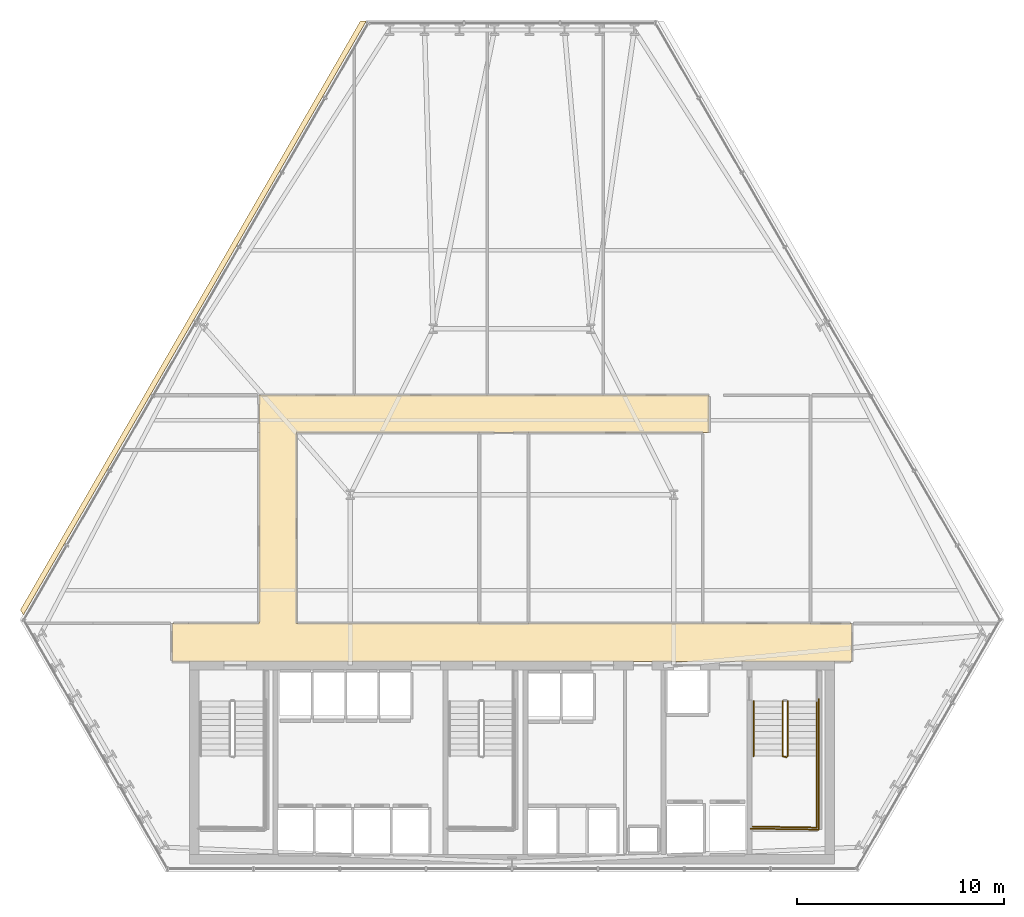
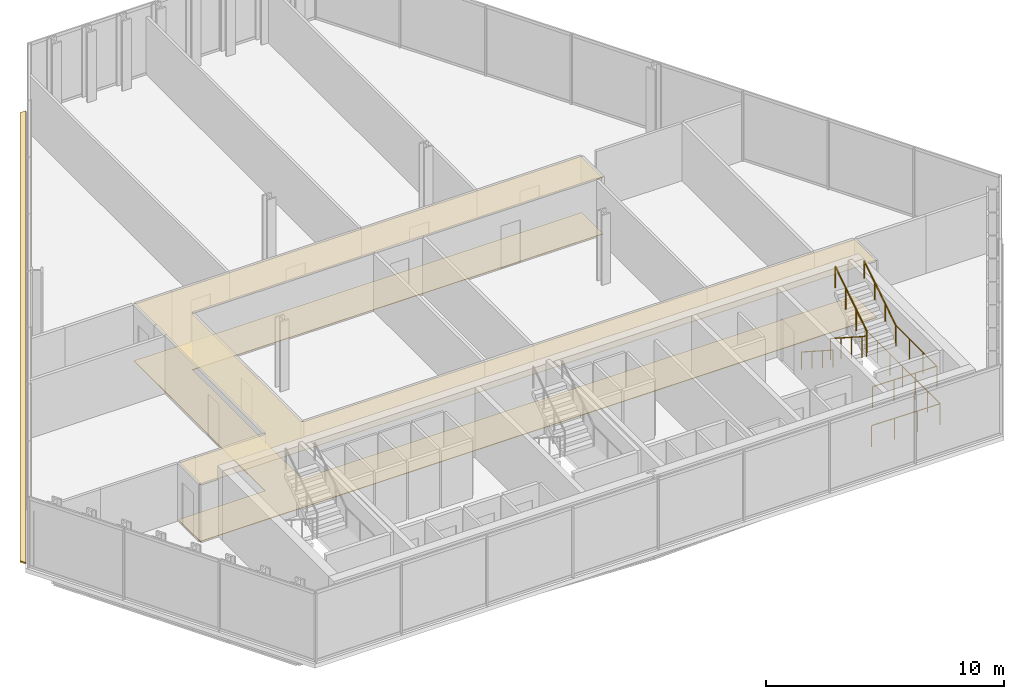
# One storey, part 31 of 32: 6 railings, 3 coverings.
"""IFC4 building model written with IfcOpenShell, lengths in metres."""

from ifc_helpers import new_model, si_unit, direction, frame, origin, origin_2d, place, context, subcontext, project, spatial, polyline, circle, outline, extrude, material, layer, layer_set, type_object, element, save


model = new_model("IFC4")

# Units and contexts
model_context = context("Model", 3, precision=1e-05, world=origin(), true_north=direction((0.0, 1.0)))
body_context = subcontext(model_context, "Body", "Model", "MODEL_VIEW")
ifc_project = project(units=[si_unit("LENGTHUNIT", "METRE"), si_unit("AREAUNIT", "SQUARE_METRE"), si_unit("VOLUMEUNIT", "CUBIC_METRE"), si_unit("PLANEANGLEUNIT", "RADIAN"), si_unit("MASSUNIT", "GRAM", prefix="KILO")], contexts=[model_context])

# Site, building, storey
site_placement = place(None, origin())
site = spatial("IfcSite", under=ifc_project, at=site_placement, CompositionType="ELEMENT")
building_placement = place(site_placement, origin())
building = spatial("IfcBuilding", under=site, at=building_placement, Name="Ndaravel Arena Tower", CompositionType="ELEMENT")
storey_placement = place(building_placement, frame((0.0, 0.0, 93.0)))
storey = spatial("IfcBuildingStorey", under=building, at=storey_placement, Name="L21", CompositionType="ELEMENT", Elevation=93.0)

# Coverings
ifc_material_1 = material(Name="Acoustic Ceiling Tile", Category="finish")
ifc_layer_1 = layer(ifc_material_1, 0.02490234375)
ifc_layer_set_1 = layer_set([ifc_layer_1], Name="Acoustic Ceiling Tile")
covering_type_1 = type_object("IfcCoveringType", Name="COV-CEIL-AC600", PredefinedType="CEILING", material=ifc_layer_set_1)
covering_1_placement = place(storey_placement, frame((0.0, 0.0, 2.919921875)))
element("IfcCovering", 1, at=covering_1_placement, inside=storey, type_object=covering_type_1, Name="L21 Corridor Acoustic Ceiling", PredefinedType="CEILING", context=body_context, shape_type="SweptSolid", body=[
    extrude(outline(polyline([(58.39990234375, 17.0), (31.60009765625, 17.0), (31.60009765625, 26.199951171875), (51.5, 26.199951171875), (51.5, 28.0), (31.60009765625, 28.0), (29.800048828125, 28.0), (29.800048828125, 26.199951171875), (29.800048828125, 17.0), (25.60009765625, 17.0), (25.60009765625, 15.14990234375), (58.39990234375, 15.14990234375), (58.39990234375, 17.0)])), origin(), (0.0, 0.0, 1.0), 0.025146484375),
])
ifc_material_2 = material(Name="Terrazzo", Category="stone")
ifc_layer_2 = layer(ifc_material_2, 0.030029296875)
ifc_layer_set_2 = layer_set([ifc_layer_2], Name="Terrazzo")
covering_type_2 = type_object("IfcCoveringType", Name="COV-FLOOR-TERRAZZO", PredefinedType="FLOORING", material=ifc_layer_set_2)
covering_2_placement = place(storey_placement, origin())
element("IfcCovering", 2, at=covering_2_placement, inside=storey, type_object=covering_type_2, Name="L21 Corridor Terrazzo Flooring", PredefinedType="FLOORING", context=body_context, shape_type="SweptSolid", body=[
    extrude(outline(polyline([(58.39990234375, 17.0), (31.60009765625, 17.0), (31.60009765625, 26.199951171875), (51.5, 26.199951171875), (51.5, 28.0), (31.60009765625, 28.0), (29.800048828125, 28.0), (29.800048828125, 26.199951171875), (29.800048828125, 17.0), (25.60009765625, 17.0), (25.60009765625, 15.14990234375), (58.39990234375, 15.14990234375), (58.39990234375, 17.0)])), origin(), (0.0, 0.0, 1.0), 0.030029296875),
])
ifc_material_3 = material(Name="Roofing Membrane", Category="finish")
ifc_layer_3 = layer(ifc_material_3, 0.080078125)
ifc_layer_set_3 = layer_set([ifc_layer_3], Name="Roofing Membrane")
covering_type_3 = type_object("IfcCoveringType", Name="COV-ROOF-MEMB", PredefinedType="ROOFING", material=ifc_layer_set_3)
covering_3_placement = place(storey_placement, origin())
element("IfcCovering", 3, at=covering_3_placement, inside=storey, type_object=covering_type_3, Name="L21 Facet Setback Weathering Flashing", PredefinedType="ROOFING", context=body_context, shape_type="SweptSolid", body=[
    extrude(outline(polyline([(18.29638671875, 17.64794921875), (34.69775390625, 46.055908203125), (34.97998046875, 46.055908203125), (18.4375, 17.4033203125), (18.29638671875, 17.64794921875)])), origin(), (0.0, 0.0, 1.0), 0.080078125),
])

# Railings
ifc_material_4 = material(Name="Steel S355", Category="steel")
ifc_layer_4 = layer(ifc_material_4, 0.06005859375)
ifc_layer_set_4 = layer_set([ifc_layer_4], Name="Steel S355")
railing_type_1 = type_object("IfcRailingType", Name="RAIL-STAIR-GD1100", PredefinedType="GUARDRAIL", material=ifc_layer_set_4)
railing_1_placement = place(storey_placement, frame((55.050048828125, 13.25, 0.18994140625)))
element("IfcRailing", 4, at=railing_1_placement, inside=storey, type_object=railing_type_1, Name="L21 ST-3 stair guard 1", PredefinedType="GUARDRAIL", context=body_context, shape_type="SweptSolid", body=[
    extrude(circle(Radius=0.02392578125, at=origin_2d()), frame((0.0, 0.0, 1.076171875), z_axis=(0.0, -0.840723540582, 0.54146461409), x_axis=(1.0, 0.0, 0.0)), (0.0, 0.0, 1.0), 3.157958984375),
    extrude(circle(Radius=0.02392578125, at=origin_2d()), frame((0.0, -2.655029296875, 2.7861328125), z_axis=(0.966993988697, -0.254799187253, 0.0), x_axis=(0.254799187253, 0.966993988697, 0.0)), (0.0, 0.0, 1.0), 0.196533203125),
    extrude(circle(Radius=0.02099609375, at=origin_2d()), origin(), (0.0, 0.0, 1.0), 1.052001953125),
    extrude(circle(Radius=0.02099609375, at=origin_2d()), frame((0.0, -0.885009765625, 0.570068359375)), (0.0, 0.0, 1.0), 1.052001953125),
    extrude(circle(Radius=0.02099609375, at=origin_2d()), frame((0.0, -1.77001953125, 1.139892578125)), (0.0, 0.0, 1.0), 1.052001953125),
    extrude(circle(Radius=0.02099609375, at=origin_2d()), frame((0.0, -2.655029296875, 1.7099609375)), (0.0, 0.0, 1.0), 1.052001953125),
    extrude(circle(Radius=0.02099609375, at=origin_2d()), frame((0.18994140625, -2.705078125, 1.7099609375)), (0.0, 0.0, 1.0), 1.052001953125),
])
railing_2_placement = place(storey_placement, frame((56.68994140625, 10.594970703125, 1.89990234375)))
element("IfcRailing", 5, at=railing_2_placement, inside=storey, type_object=railing_type_1, Name="L21 ST-3 stair guard 2", PredefinedType="GUARDRAIL", context=body_context, shape_type="SweptSolid", body=[
    extrude(circle(Radius=0.02392578125, at=origin_2d()), frame((0.0, 0.0, 1.076171875), z_axis=(0.0, -1.0, 0.0), x_axis=(1.0, 0.0, 0.0)), (0.0, 0.0, 1.0), 3.445068359375),
    extrude(circle(Radius=0.02392578125, at=origin_2d()), frame((0.0, -3.445068359375, 1.076171875), z_axis=(-0.999868840623, 0.016195726322, 0.0), x_axis=(-0.016195726322, -0.999868840623, 0.0)), (0.0, 0.0, 1.0), 3.09033203125),
    extrude(circle(Radius=0.02099609375, at=origin_2d()), origin(), (0.0, 0.0, 1.0), 1.052001953125),
    extrude(circle(Radius=0.02099609375, at=origin_2d()), frame((0.0, -1.1484375, 0.0)), (0.0, 0.0, 1.0), 1.052001953125),
    extrude(circle(Radius=0.02099609375, at=origin_2d()), frame((0.0, -2.296630859375, 0.0)), (0.0, 0.0, 1.0), 1.052001953125),
    extrude(circle(Radius=0.02099609375, at=origin_2d()), frame((0.0, -3.445068359375, 0.0)), (0.0, 0.0, 1.0), 1.052001953125),
    extrude(circle(Radius=0.02099609375, at=origin_2d()), frame((-1.030029296875, -3.428466796875, 0.0)), (0.0, 0.0, 1.0), 1.052001953125),
    extrude(circle(Radius=0.02099609375, at=origin_2d()), frame((-2.059814453125, -3.41162109375, 0.0)), (0.0, 0.0, 1.0), 1.052001953125),
    extrude(circle(Radius=0.02099609375, at=origin_2d()), frame((-3.08984375, -3.39501953125, 0.0)), (0.0, 0.0, 1.0), 1.052001953125),
])
railing_3_placement = place(storey_placement, frame((55.2900390625, 10.594970703125, 2.090087890625)))
element("IfcRailing", 6, at=railing_3_placement, inside=storey, type_object=railing_type_1, Name="L21 ST-3 stair guard 3", PredefinedType="GUARDRAIL", context=body_context, shape_type="SweptSolid", body=[
    extrude(circle(Radius=0.02392578125, at=origin_2d()), frame((0.0, 0.0, 1.076171875), z_axis=(0.0, 0.840723540582, 0.54146461409), x_axis=(-1.0, 0.0, 0.0)), (0.0, 0.0, 1.0), 3.157958984375),
    extrude(circle(Radius=0.02099609375, at=origin_2d()), origin(), (0.0, 0.0, 1.0), 1.052001953125),
    extrude(circle(Radius=0.02099609375, at=origin_2d()), frame((0.0, 0.885009765625, 0.570068359375)), (0.0, 0.0, 1.0), 1.052001953125),
    extrude(circle(Radius=0.02099609375, at=origin_2d()), frame((0.0, 1.77001953125, 1.139892578125)), (0.0, 0.0, 1.0), 1.052001953125),
    extrude(circle(Radius=0.02099609375, at=origin_2d()), frame((0.0, 2.655029296875, 1.7099609375)), (0.0, 0.0, 1.0), 1.052001953125),
])
railing_4_placement = place(storey_placement, frame((56.7900390625, 13.35009765625, 0.0)))
element("IfcRailing", 7, at=railing_4_placement, inside=storey, type_object=railing_type_1, Name="L21 ST-3 stair guard 6", PredefinedType="GUARDRAIL", context=body_context, shape_type="SweptSolid", body=[
    extrude(circle(Radius=0.02392578125, at=origin_2d()), frame((0.0, 0.0, 1.076171875), z_axis=(0.0, -1.0, 0.0), x_axis=(1.0, 0.0, 0.0)), (0.0, 0.0, 1.0), 6.300048828125),
    extrude(circle(Radius=0.02392578125, at=origin_2d()), frame((0.0, -6.300048828125, 1.076171875), z_axis=(-0.99988431412, 0.015210469308, 0.0), x_axis=(-0.015210469308, -0.99988431412, 0.0)), (0.0, 0.0, 1.0), 3.29052734375),
    extrude(circle(Radius=0.02099609375, at=origin_2d()), origin(), (0.0, 0.0, 1.0), 1.052001953125),
    extrude(circle(Radius=0.02099609375, at=origin_2d()), frame((0.0, -1.050048828125, 0.0)), (0.0, 0.0, 1.0), 1.052001953125),
    extrude(circle(Radius=0.02099609375, at=origin_2d()), frame((0.0, -2.10009765625, 0.0)), (0.0, 0.0, 1.0), 1.052001953125),
    extrude(circle(Radius=0.02099609375, at=origin_2d()), frame((0.0, -3.14990234375, 0.0)), (0.0, 0.0, 1.0), 1.052001953125),
    extrude(circle(Radius=0.02099609375, at=origin_2d()), frame((0.0, -4.199951171875, 0.0)), (0.0, 0.0, 1.0), 1.052001953125),
    extrude(circle(Radius=0.02099609375, at=origin_2d()), frame((0.0, -5.25, 0.0)), (0.0, 0.0, 1.0), 1.052001953125),
    extrude(circle(Radius=0.02099609375, at=origin_2d()), frame((0.0, -6.300048828125, 0.0)), (0.0, 0.0, 1.0), 1.052001953125),
    extrude(circle(Radius=0.02099609375, at=origin_2d()), frame((-1.0966796875, -6.283447265625, 0.0)), (0.0, 0.0, 1.0), 1.052001953125),
    extrude(circle(Radius=0.02099609375, at=origin_2d()), frame((-2.193359375, -6.2666015625, 0.0)), (0.0, 0.0, 1.0), 1.052001953125),
    extrude(circle(Radius=0.02099609375, at=origin_2d()), frame((-3.2900390625, -6.25, 0.0)), (0.0, 0.0, 1.0), 1.052001953125),
])
ifc_material_5 = material(Name="Steel S355", Category="steel")
ifc_layer_5 = layer(ifc_material_5, 0.050048828125)
ifc_layer_set_5 = layer_set([ifc_layer_5], Name="Steel S355")
railing_type_2 = type_object("IfcRailingType", Name="RAIL-STAIR-HR920", PredefinedType="HANDRAIL", material=ifc_layer_set_5)
railing_5_placement = place(storey_placement, frame((53.64990234375, 13.25, 0.18994140625)))
element("IfcRailing", 8, at=railing_5_placement, inside=storey, type_object=railing_type_2, Name="L21 ST-3 stair handrail 1", PredefinedType="HANDRAIL", context=body_context, shape_type="SweptSolid", body=[
    extrude(circle(Radius=0.02392578125, at=origin_2d()), frame((0.0, 0.0, 0.8759765625), z_axis=(0.0, -0.840723540582, 0.54146461409), x_axis=(1.0, 0.0, 0.0)), (0.0, 0.0, 1.0), 3.157958984375),
    extrude(circle(Radius=0.02099609375, at=origin_2d()), origin(), (0.0, 0.0, 1.0), 0.851806640625),
    extrude(circle(Radius=0.02099609375, at=origin_2d()), frame((0.0, -0.885009765625, 0.570068359375)), (0.0, 0.0, 1.0), 0.851806640625),
    extrude(circle(Radius=0.02099609375, at=origin_2d()), frame((0.0, -1.77001953125, 1.139892578125)), (0.0, 0.0, 1.0), 0.851806640625),
    extrude(circle(Radius=0.02099609375, at=origin_2d()), frame((0.0, -2.655029296875, 1.7099609375)), (0.0, 0.0, 1.0), 0.851806640625),
])
railing_6_placement = place(storey_placement, frame((56.68994140625, 10.594970703125, 2.090087890625)))
element("IfcRailing", 9, at=railing_6_placement, inside=storey, type_object=railing_type_2, Name="L21 ST-3 stair handrail 2", PredefinedType="HANDRAIL", context=body_context, shape_type="SweptSolid", body=[
    extrude(circle(Radius=0.02392578125, at=origin_2d()), frame((0.0, 0.0, 0.8759765625), z_axis=(0.0, 0.840723540582, 0.54146461409), x_axis=(-1.0, 0.0, 0.0)), (0.0, 0.0, 1.0), 3.157958984375),
    extrude(circle(Radius=0.02099609375, at=origin_2d()), origin(), (0.0, 0.0, 1.0), 0.851806640625),
    extrude(circle(Radius=0.02099609375, at=origin_2d()), frame((0.0, 0.885009765625, 0.570068359375)), (0.0, 0.0, 1.0), 0.851806640625),
    extrude(circle(Radius=0.02099609375, at=origin_2d()), frame((0.0, 1.77001953125, 1.139892578125)), (0.0, 0.0, 1.0), 0.851806640625),
    extrude(circle(Radius=0.02099609375, at=origin_2d()), frame((0.0, 2.655029296875, 1.7099609375)), (0.0, 0.0, 1.0), 0.851806640625),
])

save(model, "model.ifc")
